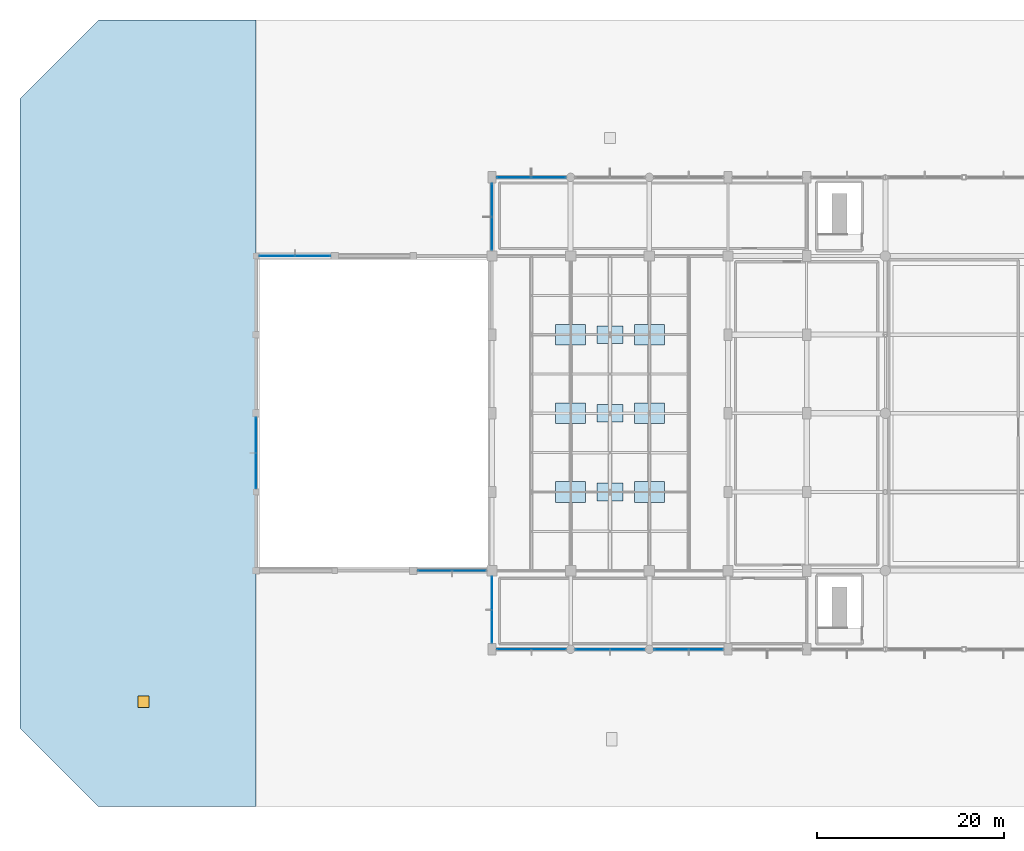
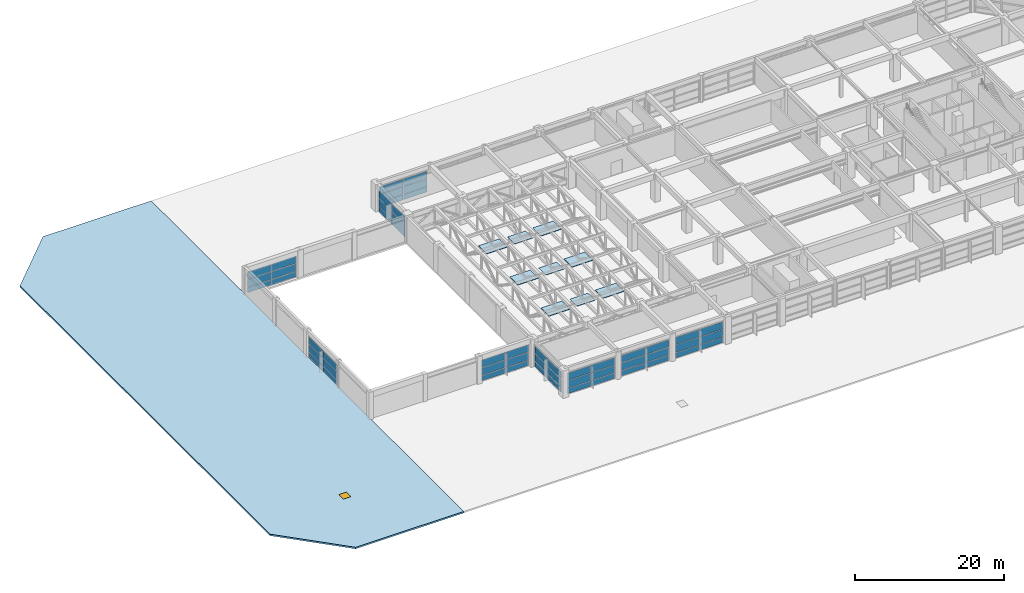
# One storey, part 36 of 47: 63 plates, 1 door, 1 slab, 1 opening, 9 elements without a shape of their own.
"""IFC4 building model written with IfcOpenShell, lengths in metres."""

from ifc_helpers import new_model, si_unit, direction, frame, origin, origin_2d, place, context, subcontext, project, spatial, polyline, rectangle, outline, extrude, material, layer, layer_set, type_object, element, fill, aggregate, save


model = new_model("IFC4")

# Units and contexts
model_context = context("Model", 3, precision=1e-05, world=origin(), true_north=direction((0.0, 1.0)))
body_context = subcontext(model_context, "Body", "Model", "MODEL_VIEW")
ifc_project = project(units=[si_unit("LENGTHUNIT", "METRE"), si_unit("AREAUNIT", "SQUARE_METRE"), si_unit("VOLUMEUNIT", "CUBIC_METRE"), si_unit("PLANEANGLEUNIT", "RADIAN"), si_unit("MASSUNIT", "GRAM", prefix="KILO")], contexts=[model_context])

# Site, building, storey
site_placement = place(None, origin())
site = spatial("IfcSite", under=ifc_project, at=site_placement, CompositionType="ELEMENT")
building_placement = place(site_placement, origin())
building = spatial("IfcBuilding", under=site, at=building_placement, Name="Xuanlan Plaza Opera House", CompositionType="ELEMENT")
storey_placement = place(building_placement, frame((0.0, 0.0, 23.39990234375)))
storey = spatial("IfcBuildingStorey", under=building, at=storey_placement, Name="L05", CompositionType="ELEMENT", Elevation=23.39990234375)

# Curtain wall, plates
ifc_material_1 = material(Name="Anodised Aluminium 6063-T6 and Low-E Glass", Category="aluminium")
curtain_wall_type_1 = type_object("IfcCurtainWallType", Name="ENV-CW-CW-06", PredefinedType="USERDEFINED", material=ifc_material_1)
curtain_wall_1_placement = place(storey_placement, origin())
curtain_wall_1 = element("IfcCurtainWall", 1, at=curtain_wall_1_placement, inside=storey, type_object=curtain_wall_type_1, Name="Acoustic Glazed Wall L05-003", ObjectType="ACOUSTIC GLAZED WALL", PredefinedType="USERDEFINED")
ifc_material_2 = material(Name="Laminated Acoustic Double Glazing", Category="glass")
ifc_layer_1 = layer(ifc_material_2, 0.028076171875)
ifc_layer_set_1 = layer_set([ifc_layer_1], Name="Laminated Acoustic Double Glazing")
plate_type_1 = type_object("IfcPlateType", Name="ENV-CWP-01", PredefinedType="CURTAIN_PANEL", material=ifc_layer_set_1)
plate_1_placement = place(storey_placement, frame((61.094970703125, 42.0, 0.0751953125), z_axis=(0.0, 0.0, 1.0), x_axis=(1.0, 0.0, 0.0)))
plate_1 = element("IfcPlate", 2, at=plate_1_placement, type_object=plate_type_1, Name="CW-06 panel 1.1", PredefinedType="CURTAIN_PANEL", context=body_context, shape_type="SweptSolid", body=[
    extrude(rectangle(XDim=3.570068359375, YDim=0.028076171875, at=origin_2d()), origin(), (0.0, 0.0, 1.0), 0.83740234375),
])
plate_2_placement = place(storey_placement, frame((61.094970703125, 42.0, 0.987548828125), z_axis=(0.0, 0.0, 1.0), x_axis=(1.0, 0.0, 0.0)))
plate_2 = element("IfcPlate", 3, at=plate_2_placement, type_object=plate_type_1, Name="CW-06 panel 1.2", PredefinedType="CURTAIN_PANEL", context=body_context, shape_type="SweptSolid", body=[
    extrude(rectangle(XDim=3.570068359375, YDim=0.028076171875, at=origin_2d()), origin(), (0.0, 0.0, 1.0), 1.22509765625),
])
plate_3_placement = place(storey_placement, frame((61.094970703125, 42.0, 2.28759765625), z_axis=(0.0, 0.0, 1.0), x_axis=(1.0, 0.0, 0.0)))
plate_3 = element("IfcPlate", 4, at=plate_3_placement, type_object=plate_type_1, Name="CW-06 panel 1.3", PredefinedType="CURTAIN_PANEL", context=body_context, shape_type="SweptSolid", body=[
    extrude(rectangle(XDim=3.570068359375, YDim=0.028076171875, at=origin_2d()), origin(), (0.0, 0.0, 1.0), 1.177490234375),
])
plate_4_placement = place(storey_placement, frame((64.7548828125, 42.0, 0.0751953125), z_axis=(0.0, 0.0, 1.0), x_axis=(1.0, 0.0, 0.0)))
plate_4 = element("IfcPlate", 5, at=plate_4_placement, type_object=plate_type_1, Name="CW-06 panel 2.1", PredefinedType="CURTAIN_PANEL", context=body_context, shape_type="SweptSolid", body=[
    extrude(rectangle(XDim=3.570068359375, YDim=0.028076171875, at=origin_2d()), origin(), (0.0, 0.0, 1.0), 0.83740234375),
])
plate_5_placement = place(storey_placement, frame((64.7548828125, 42.0, 0.987548828125), z_axis=(0.0, 0.0, 1.0), x_axis=(1.0, 0.0, 0.0)))
plate_5 = element("IfcPlate", 6, at=plate_5_placement, type_object=plate_type_1, Name="CW-06 panel 2.2", PredefinedType="CURTAIN_PANEL", context=body_context, shape_type="SweptSolid", body=[
    extrude(rectangle(XDim=3.570068359375, YDim=0.028076171875, at=origin_2d()), origin(), (0.0, 0.0, 1.0), 1.22509765625),
])
plate_6_placement = place(storey_placement, frame((64.7548828125, 42.0, 2.28759765625), z_axis=(0.0, 0.0, 1.0), x_axis=(1.0, 0.0, 0.0)))
plate_6 = element("IfcPlate", 7, at=plate_6_placement, type_object=plate_type_1, Name="CW-06 panel 2.3", PredefinedType="CURTAIN_PANEL", context=body_context, shape_type="SweptSolid", body=[
    extrude(rectangle(XDim=3.570068359375, YDim=0.028076171875, at=origin_2d()), origin(), (0.0, 0.0, 1.0), 1.177490234375),
])
aggregate(curtain_wall_1, [plate_1, plate_2, plate_3, plate_4, plate_5, plate_6])

curtain_wall_2_placement = place(storey_placement, origin())
curtain_wall_2 = element("IfcCurtainWall", 8, at=curtain_wall_2_placement, inside=storey, type_object=curtain_wall_type_1, Name="Acoustic Glazed Wall L05-033", ObjectType="ACOUSTIC GLAZED WALL", PredefinedType="USERDEFINED")
plate_7_placement = place(storey_placement, frame((67.199951171875, 81.554931640625, 0.0751953125), z_axis=(0.0, 0.0, 1.0), x_axis=(0.0, -1.0, 0.0)))
plate_7 = element("IfcPlate", 9, at=plate_7_placement, type_object=plate_type_1, Name="CW-06 panel 1.1", PredefinedType="CURTAIN_PANEL", context=body_context, shape_type="SweptSolid", body=[
    extrude(rectangle(XDim=3.469970703125, YDim=0.028076171875, at=origin_2d()), origin(), (0.0, 0.0, 1.0), 0.83740234375),
])
plate_8_placement = place(storey_placement, frame((67.199951171875, 81.554931640625, 0.987548828125), z_axis=(0.0, 0.0, 1.0), x_axis=(0.0, -1.0, 0.0)))
plate_8 = element("IfcPlate", 10, at=plate_8_placement, type_object=plate_type_1, Name="CW-06 panel 1.2", PredefinedType="CURTAIN_PANEL", context=body_context, shape_type="SweptSolid", body=[
    extrude(rectangle(XDim=3.469970703125, YDim=0.028076171875, at=origin_2d()), origin(), (0.0, 0.0, 1.0), 1.22509765625),
])
plate_9_placement = place(storey_placement, frame((67.199951171875, 81.554931640625, 2.28759765625), z_axis=(0.0, 0.0, 1.0), x_axis=(0.0, -1.0, 0.0)))
plate_9 = element("IfcPlate", 11, at=plate_9_placement, type_object=plate_type_1, Name="CW-06 panel 1.3", PredefinedType="CURTAIN_PANEL", context=body_context, shape_type="SweptSolid", body=[
    extrude(rectangle(XDim=3.469970703125, YDim=0.028076171875, at=origin_2d()), origin(), (0.0, 0.0, 1.0), 1.177490234375),
])
plate_10_placement = place(storey_placement, frame((67.199951171875, 77.9951171875, 0.0751953125), z_axis=(0.0, 0.0, 1.0), x_axis=(0.0, -1.0, 0.0)))
plate_10 = element("IfcPlate", 12, at=plate_10_placement, type_object=plate_type_1, Name="CW-06 panel 2.1", PredefinedType="CURTAIN_PANEL", context=body_context, shape_type="SweptSolid", body=[
    extrude(rectangle(XDim=3.469970703125, YDim=0.028076171875, at=origin_2d()), origin(), (0.0, 0.0, 1.0), 0.83740234375),
])
plate_11_placement = place(storey_placement, frame((67.199951171875, 77.9951171875, 0.987548828125), z_axis=(0.0, 0.0, 1.0), x_axis=(0.0, -1.0, 0.0)))
plate_11 = element("IfcPlate", 13, at=plate_11_placement, type_object=plate_type_1, Name="CW-06 panel 2.2", PredefinedType="CURTAIN_PANEL", context=body_context, shape_type="SweptSolid", body=[
    extrude(rectangle(XDim=3.469970703125, YDim=0.028076171875, at=origin_2d()), origin(), (0.0, 0.0, 1.0), 1.22509765625),
])
plate_12_placement = place(storey_placement, frame((67.199951171875, 77.9951171875, 2.28759765625), z_axis=(0.0, 0.0, 1.0), x_axis=(0.0, -1.0, 0.0)))
plate_12 = element("IfcPlate", 14, at=plate_12_placement, type_object=plate_type_1, Name="CW-06 panel 2.3", PredefinedType="CURTAIN_PANEL", context=body_context, shape_type="SweptSolid", body=[
    extrude(rectangle(XDim=3.469970703125, YDim=0.028076171875, at=origin_2d()), origin(), (0.0, 0.0, 1.0), 1.177490234375),
])
aggregate(curtain_wall_2, [plate_7, plate_8, plate_9, plate_10, plate_11, plate_12])

curtain_wall_3_placement = place(storey_placement, origin())
curtain_wall_3 = element("IfcCurtainWall", 15, at=curtain_wall_3_placement, inside=storey, type_object=curtain_wall_type_1, Name="Acoustic Glazed Wall L05-005", ObjectType="ACOUSTIC GLAZED WALL", PredefinedType="USERDEFINED")
ifc_layer_2 = layer(ifc_material_2, 0.031982421875)
ifc_layer_set_2 = layer_set([ifc_layer_2], Name="Laminated Acoustic Double Glazing")
plate_type_2 = type_object("IfcPlateType", Name="ENV-CWP-02", PredefinedType="CURTAIN_PANEL", material=ifc_layer_set_2)
plate_13_placement = place(storey_placement, frame((69.552490234375, 33.60009765625, 0.0703125), z_axis=(0.0, 0.0, 1.0), x_axis=(1.0, 0.0, 0.0)))
plate_13 = element("IfcPlate", 16, at=plate_13_placement, type_object=plate_type_2, Name="CW-06 panel 1.1", PredefinedType="CURTAIN_PANEL", context=body_context, shape_type="SweptSolid", body=[
    extrude(rectangle(XDim=3.625, YDim=0.031982421875, at=origin_2d()), origin(), (0.0, 0.0, 1.0), 0.844970703125),
])
plate_14_placement = place(storey_placement, frame((69.552490234375, 33.60009765625, 0.985107421875), z_axis=(0.0, 0.0, 1.0), x_axis=(1.0, 0.0, 0.0)))
plate_14 = element("IfcPlate", 17, at=plate_14_placement, type_object=plate_type_2, Name="CW-06 panel 1.2", PredefinedType="CURTAIN_PANEL", context=body_context, shape_type="SweptSolid", body=[
    extrude(rectangle(XDim=3.625, YDim=0.031982421875, at=origin_2d()), origin(), (0.0, 0.0, 1.0), 1.22998046875),
])
plate_15_placement = place(storey_placement, frame((69.552490234375, 33.60009765625, 2.28515625), z_axis=(0.0, 0.0, 1.0), x_axis=(1.0, 0.0, 0.0)))
plate_15 = element("IfcPlate", 18, at=plate_15_placement, type_object=plate_type_2, Name="CW-06 panel 1.3", PredefinedType="CURTAIN_PANEL", context=body_context, shape_type="SweptSolid", body=[
    extrude(rectangle(XDim=3.625, YDim=0.031982421875, at=origin_2d()), origin(), (0.0, 0.0, 1.0), 1.18505859375),
])
plate_16_placement = place(storey_placement, frame((73.24755859375, 33.60009765625, 0.0703125), z_axis=(0.0, 0.0, 1.0), x_axis=(1.0, 0.0, 0.0)))
plate_16 = element("IfcPlate", 19, at=plate_16_placement, type_object=plate_type_2, Name="CW-06 panel 2.1", PredefinedType="CURTAIN_PANEL", context=body_context, shape_type="SweptSolid", body=[
    extrude(rectangle(XDim=3.625, YDim=0.031982421875, at=origin_2d()), origin(), (0.0, 0.0, 1.0), 0.844970703125),
])
plate_17_placement = place(storey_placement, frame((73.24755859375, 33.60009765625, 0.985107421875), z_axis=(0.0, 0.0, 1.0), x_axis=(1.0, 0.0, 0.0)))
plate_17 = element("IfcPlate", 20, at=plate_17_placement, type_object=plate_type_2, Name="CW-06 panel 2.2", PredefinedType="CURTAIN_PANEL", context=body_context, shape_type="SweptSolid", body=[
    extrude(rectangle(XDim=3.625, YDim=0.031982421875, at=origin_2d()), origin(), (0.0, 0.0, 1.0), 1.22998046875),
])
plate_18_placement = place(storey_placement, frame((73.24755859375, 33.60009765625, 2.28515625), z_axis=(0.0, 0.0, 1.0), x_axis=(1.0, 0.0, 0.0)))
plate_18 = element("IfcPlate", 21, at=plate_18_placement, type_object=plate_type_2, Name="CW-06 panel 2.3", PredefinedType="CURTAIN_PANEL", context=body_context, shape_type="SweptSolid", body=[
    extrude(rectangle(XDim=3.625, YDim=0.031982421875, at=origin_2d()), origin(), (0.0, 0.0, 1.0), 1.18505859375),
])
aggregate(curtain_wall_3, [plate_13, plate_14, plate_15, plate_16, plate_17, plate_18])

curtain_wall_4_placement = place(storey_placement, origin())
curtain_wall_4 = element("IfcCurtainWall", 22, at=curtain_wall_4_placement, inside=storey, type_object=curtain_wall_type_1, Name="Acoustic Glazed Wall L05-007", ObjectType="ACOUSTIC GLAZED WALL", PredefinedType="USERDEFINED")
ifc_layer_3 = layer(ifc_material_2, 0.035888671875)
ifc_layer_set_3 = layer_set([ifc_layer_3], Name="Laminated Acoustic Double Glazing")
plate_type_3 = type_object("IfcPlateType", Name="ENV-CWP-03", PredefinedType="CURTAIN_PANEL", material=ifc_layer_set_3)
plate_19_placement = place(storey_placement, frame((86.35498046875, 33.60009765625, 0.065185546875), z_axis=(0.0, 0.0, 1.0), x_axis=(1.0, 0.0, 0.0)))
plate_19 = element("IfcPlate", 23, at=plate_19_placement, type_object=plate_type_3, Name="CW-06 panel 1.1", PredefinedType="CURTAIN_PANEL", context=body_context, shape_type="SweptSolid", body=[
    extrude(rectangle(XDim=3.610107421875, YDim=0.035888671875, at=origin_2d()), origin(), (0.0, 0.0, 1.0), 0.8525390625),
])
plate_20_placement = place(storey_placement, frame((86.35498046875, 33.60009765625, 0.982421875), z_axis=(0.0, 0.0, 1.0), x_axis=(1.0, 0.0, 0.0)))
plate_20 = element("IfcPlate", 24, at=plate_20_placement, type_object=plate_type_3, Name="CW-06 panel 1.2", PredefinedType="CURTAIN_PANEL", context=body_context, shape_type="SweptSolid", body=[
    extrude(rectangle(XDim=3.610107421875, YDim=0.035888671875, at=origin_2d()), origin(), (0.0, 0.0, 1.0), 1.235107421875),
])
plate_21_placement = place(storey_placement, frame((86.35498046875, 33.60009765625, 2.28271484375), z_axis=(0.0, 0.0, 1.0), x_axis=(1.0, 0.0, 0.0)))
plate_21 = element("IfcPlate", 25, at=plate_21_placement, type_object=plate_type_3, Name="CW-06 panel 1.3", PredefinedType="CURTAIN_PANEL", context=body_context, shape_type="SweptSolid", body=[
    extrude(rectangle(XDim=3.610107421875, YDim=0.035888671875, at=origin_2d()), origin(), (0.0, 0.0, 1.0), 1.1923828125),
])
plate_22_placement = place(storey_placement, frame((90.044921875, 33.60009765625, 0.065185546875), z_axis=(0.0, 0.0, 1.0), x_axis=(1.0, 0.0, 0.0)))
plate_22 = element("IfcPlate", 26, at=plate_22_placement, type_object=plate_type_3, Name="CW-06 panel 2.1", PredefinedType="CURTAIN_PANEL", context=body_context, shape_type="SweptSolid", body=[
    extrude(rectangle(XDim=3.610107421875, YDim=0.035888671875, at=origin_2d()), origin(), (0.0, 0.0, 1.0), 0.8525390625),
])
plate_23_placement = place(storey_placement, frame((90.044921875, 33.60009765625, 0.982421875), z_axis=(0.0, 0.0, 1.0), x_axis=(1.0, 0.0, 0.0)))
plate_23 = element("IfcPlate", 27, at=plate_23_placement, type_object=plate_type_3, Name="CW-06 panel 2.2", PredefinedType="CURTAIN_PANEL", context=body_context, shape_type="SweptSolid", body=[
    extrude(rectangle(XDim=3.610107421875, YDim=0.035888671875, at=origin_2d()), origin(), (0.0, 0.0, 1.0), 1.235107421875),
])
plate_24_placement = place(storey_placement, frame((90.044921875, 33.60009765625, 2.28271484375), z_axis=(0.0, 0.0, 1.0), x_axis=(1.0, 0.0, 0.0)))
plate_24 = element("IfcPlate", 28, at=plate_24_placement, type_object=plate_type_3, Name="CW-06 panel 2.3", PredefinedType="CURTAIN_PANEL", context=body_context, shape_type="SweptSolid", body=[
    extrude(rectangle(XDim=3.610107421875, YDim=0.035888671875, at=origin_2d()), origin(), (0.0, 0.0, 1.0), 1.1923828125),
])
aggregate(curtain_wall_4, [plate_19, plate_20, plate_21, plate_22, plate_23, plate_24])

curtain_wall_type_2 = type_object("IfcCurtainWallType", Name="ENV-CW-CW-05", PredefinedType="USERDEFINED", material=ifc_material_1)
curtain_wall_5_placement = place(storey_placement, origin())
curtain_wall_5 = element("IfcCurtainWall", 29, at=curtain_wall_5_placement, inside=storey, type_object=curtain_wall_type_2, Name="Acoustic Glazed Wall L05-032", ObjectType="ACOUSTIC GLAZED WALL", PredefinedType="USERDEFINED")
plate_25_placement = place(storey_placement, frame((73.2451171875, 84.0, 0.065185546875), z_axis=(0.0, 0.0, 1.0), x_axis=(-1.0, 0.0, 0.0)))
plate_25 = element("IfcPlate", 30, at=plate_25_placement, type_object=plate_type_3, Name="CW-05 panel 1.1", PredefinedType="CURTAIN_PANEL", context=body_context, shape_type="SweptSolid", body=[
    extrude(rectangle(XDim=3.610107421875, YDim=0.035888671875, at=origin_2d()), origin(), (0.0, 0.0, 1.0), 0.8525390625),
])
plate_26_placement = place(storey_placement, frame((73.2451171875, 84.0, 0.982421875), z_axis=(0.0, 0.0, 1.0), x_axis=(-1.0, 0.0, 0.0)))
plate_26 = element("IfcPlate", 31, at=plate_26_placement, type_object=plate_type_3, Name="CW-05 panel 1.2", PredefinedType="CURTAIN_PANEL", context=body_context, shape_type="SweptSolid", body=[
    extrude(rectangle(XDim=3.610107421875, YDim=0.035888671875, at=origin_2d()), origin(), (0.0, 0.0, 1.0), 1.235107421875),
])
plate_27_placement = place(storey_placement, frame((73.2451171875, 84.0, 2.28271484375), z_axis=(0.0, 0.0, 1.0), x_axis=(-1.0, 0.0, 0.0)))
plate_27 = element("IfcPlate", 32, at=plate_27_placement, type_object=plate_type_3, Name="CW-05 panel 1.3", PredefinedType="CURTAIN_PANEL", context=body_context, shape_type="SweptSolid", body=[
    extrude(rectangle(XDim=3.610107421875, YDim=0.035888671875, at=origin_2d()), origin(), (0.0, 0.0, 1.0), 1.1923828125),
])
plate_28_placement = place(storey_placement, frame((69.554931640625, 84.0, 0.065185546875), z_axis=(0.0, 0.0, 1.0), x_axis=(-1.0, 0.0, 0.0)))
plate_28 = element("IfcPlate", 33, at=plate_28_placement, type_object=plate_type_3, Name="CW-05 panel 2.1", PredefinedType="CURTAIN_PANEL", context=body_context, shape_type="SweptSolid", body=[
    extrude(rectangle(XDim=3.610107421875, YDim=0.035888671875, at=origin_2d()), origin(), (0.0, 0.0, 1.0), 0.8525390625),
])
plate_29_placement = place(storey_placement, frame((69.554931640625, 84.0, 0.982421875), z_axis=(0.0, 0.0, 1.0), x_axis=(-1.0, 0.0, 0.0)))
plate_29 = element("IfcPlate", 34, at=plate_29_placement, type_object=plate_type_3, Name="CW-05 panel 2.2", PredefinedType="CURTAIN_PANEL", context=body_context, shape_type="SweptSolid", body=[
    extrude(rectangle(XDim=3.610107421875, YDim=0.035888671875, at=origin_2d()), origin(), (0.0, 0.0, 1.0), 1.235107421875),
])
plate_30_placement = place(storey_placement, frame((69.554931640625, 84.0, 2.28271484375), z_axis=(0.0, 0.0, 1.0), x_axis=(-1.0, 0.0, 0.0)))
plate_30 = element("IfcPlate", 35, at=plate_30_placement, type_object=plate_type_3, Name="CW-05 panel 2.3", PredefinedType="CURTAIN_PANEL", context=body_context, shape_type="SweptSolid", body=[
    extrude(rectangle(XDim=3.610107421875, YDim=0.035888671875, at=origin_2d()), origin(), (0.0, 0.0, 1.0), 1.1923828125),
])
aggregate(curtain_wall_5, [plate_25, plate_26, plate_27, plate_28, plate_29, plate_30])

curtain_wall_6_placement = place(storey_placement, origin())
curtain_wall_6 = element("IfcCurtainWall", 36, at=curtain_wall_6_placement, inside=storey, type_object=curtain_wall_type_2, Name="Acoustic Glazed Wall L05-004", ObjectType="ACOUSTIC GLAZED WALL", PredefinedType="USERDEFINED")
ifc_layer_4 = layer(ifc_material_2, 0.0400390625)
ifc_layer_set_4 = layer_set([ifc_layer_4], Name="Laminated Acoustic Double Glazing")
plate_type_4 = type_object("IfcPlateType", Name="ENV-CWP-04", PredefinedType="CURTAIN_PANEL", material=ifc_layer_set_4)
plate_31_placement = place(storey_placement, frame((67.199951171875, 39.611328125, 0.090087890625), z_axis=(0.0, 0.0, 1.0), x_axis=(0.0, -1.0, 0.0)))
plate_31 = element("IfcPlate", 37, at=plate_31_placement, type_object=plate_type_4, Name="CW-05 panel 1.1", PredefinedType="CURTAIN_PANEL", context=body_context, shape_type="SweptSolid", body=[
    extrude(rectangle(XDim=3.507568359375, YDim=0.0400390625, at=origin_2d()), origin(), (0.0, 0.0, 1.0), 0.81494140625),
])
plate_32_placement = place(storey_placement, frame((67.199951171875, 39.611328125, 0.9951171875), z_axis=(0.0, 0.0, 1.0), x_axis=(0.0, -1.0, 0.0)))
plate_32 = element("IfcPlate", 38, at=plate_32_placement, type_object=plate_type_4, Name="CW-05 panel 1.2", PredefinedType="CURTAIN_PANEL", context=body_context, shape_type="SweptSolid", body=[
    extrude(rectangle(XDim=3.507568359375, YDim=0.0400390625, at=origin_2d()), origin(), (0.0, 0.0, 1.0), 1.2099609375),
])
plate_33_placement = place(storey_placement, frame((67.199951171875, 39.611328125, 2.294921875), z_axis=(0.0, 0.0, 1.0), x_axis=(0.0, -1.0, 0.0)))
plate_33 = element("IfcPlate", 39, at=plate_33_placement, type_object=plate_type_4, Name="CW-05 panel 1.3", PredefinedType="CURTAIN_PANEL", context=body_context, shape_type="SweptSolid", body=[
    extrude(rectangle(XDim=3.507568359375, YDim=0.0400390625, at=origin_2d()), origin(), (0.0, 0.0, 1.0), 1.155029296875),
])
plate_34_placement = place(storey_placement, frame((67.199951171875, 36.038818359375, 0.090087890625), z_axis=(0.0, 0.0, 1.0), x_axis=(0.0, -1.0, 0.0)))
plate_34 = element("IfcPlate", 40, at=plate_34_placement, type_object=plate_type_4, Name="CW-05 panel 2.1", PredefinedType="CURTAIN_PANEL", context=body_context, shape_type="SweptSolid", body=[
    extrude(rectangle(XDim=3.507568359375, YDim=0.0400390625, at=origin_2d()), origin(), (0.0, 0.0, 1.0), 0.81494140625),
])
plate_35_placement = place(storey_placement, frame((67.199951171875, 36.038818359375, 0.9951171875), z_axis=(0.0, 0.0, 1.0), x_axis=(0.0, -1.0, 0.0)))
plate_35 = element("IfcPlate", 41, at=plate_35_placement, type_object=plate_type_4, Name="CW-05 panel 2.2", PredefinedType="CURTAIN_PANEL", context=body_context, shape_type="SweptSolid", body=[
    extrude(rectangle(XDim=3.507568359375, YDim=0.0400390625, at=origin_2d()), origin(), (0.0, 0.0, 1.0), 1.2099609375),
])
plate_36_placement = place(storey_placement, frame((67.199951171875, 36.038818359375, 2.294921875), z_axis=(0.0, 0.0, 1.0), x_axis=(0.0, -1.0, 0.0)))
plate_36 = element("IfcPlate", 42, at=plate_36_placement, type_object=plate_type_4, Name="CW-05 panel 2.3", PredefinedType="CURTAIN_PANEL", context=body_context, shape_type="SweptSolid", body=[
    extrude(rectangle(XDim=3.507568359375, YDim=0.0400390625, at=origin_2d()), origin(), (0.0, 0.0, 1.0), 1.155029296875),
])
aggregate(curtain_wall_6, [plate_31, plate_32, plate_33, plate_34, plate_35, plate_36])

curtain_wall_type_3 = type_object("IfcCurtainWallType", Name="ENV-CW-CW-02", PredefinedType="USERDEFINED", material=ifc_material_1)
curtain_wall_7_placement = place(storey_placement, origin())
curtain_wall_7 = element("IfcCurtainWall", 43, at=curtain_wall_7_placement, inside=storey, type_object=curtain_wall_type_3, Name="Unitised Curtain Wall L05-039", ObjectType="UNITISED CURTAIN WALL", PredefinedType="USERDEFINED")
plate_37_placement = place(storey_placement, frame((42.0, 56.44873046875, 0.090087890625), z_axis=(0.0, 0.0, 1.0), x_axis=(0.0, -1.0, 0.0)))
plate_37 = element("IfcPlate", 44, at=plate_37_placement, type_object=plate_type_4, Name="CW-02 panel 1.1", PredefinedType="CURTAIN_PANEL", context=body_context, shape_type="SweptSolid", body=[
    extrude(rectangle(XDim=3.732421875, YDim=0.0400390625, at=origin_2d()), origin(), (0.0, 0.0, 1.0), 0.81494140625),
])
plate_38_placement = place(storey_placement, frame((42.0, 56.44873046875, 0.9951171875), z_axis=(0.0, 0.0, 1.0), x_axis=(0.0, -1.0, 0.0)))
plate_38 = element("IfcPlate", 45, at=plate_38_placement, type_object=plate_type_4, Name="CW-02 panel 1.2", PredefinedType="CURTAIN_PANEL", context=body_context, shape_type="SweptSolid", body=[
    extrude(rectangle(XDim=3.732421875, YDim=0.0400390625, at=origin_2d()), origin(), (0.0, 0.0, 1.0), 1.2099609375),
])
plate_39_placement = place(storey_placement, frame((42.0, 56.44873046875, 2.294921875), z_axis=(0.0, 0.0, 1.0), x_axis=(0.0, -1.0, 0.0)))
plate_39 = element("IfcPlate", 46, at=plate_39_placement, type_object=plate_type_4, Name="CW-02 panel 1.3", PredefinedType="CURTAIN_PANEL", context=body_context, shape_type="SweptSolid", body=[
    extrude(rectangle(XDim=3.732421875, YDim=0.0400390625, at=origin_2d()), origin(), (0.0, 0.0, 1.0), 1.155029296875),
])
plate_40_placement = place(storey_placement, frame((42.0, 52.6513671875, 0.090087890625), z_axis=(0.0, 0.0, 1.0), x_axis=(0.0, -1.0, 0.0)))
plate_40 = element("IfcPlate", 47, at=plate_40_placement, type_object=plate_type_4, Name="CW-02 panel 2.1", PredefinedType="CURTAIN_PANEL", context=body_context, shape_type="SweptSolid", body=[
    extrude(rectangle(XDim=3.732421875, YDim=0.0400390625, at=origin_2d()), origin(), (0.0, 0.0, 1.0), 0.81494140625),
])
plate_41_placement = place(storey_placement, frame((42.0, 52.6513671875, 0.9951171875), z_axis=(0.0, 0.0, 1.0), x_axis=(0.0, -1.0, 0.0)))
plate_41 = element("IfcPlate", 48, at=plate_41_placement, type_object=plate_type_4, Name="CW-02 panel 2.2", PredefinedType="CURTAIN_PANEL", context=body_context, shape_type="SweptSolid", body=[
    extrude(rectangle(XDim=3.732421875, YDim=0.0400390625, at=origin_2d()), origin(), (0.0, 0.0, 1.0), 1.2099609375),
])
plate_42_placement = place(storey_placement, frame((42.0, 52.6513671875, 2.294921875), z_axis=(0.0, 0.0, 1.0), x_axis=(0.0, -1.0, 0.0)))
plate_42 = element("IfcPlate", 49, at=plate_42_placement, type_object=plate_type_4, Name="CW-02 panel 2.3", PredefinedType="CURTAIN_PANEL", context=body_context, shape_type="SweptSolid", body=[
    extrude(rectangle(XDim=3.732421875, YDim=0.0400390625, at=origin_2d()), origin(), (0.0, 0.0, 1.0), 1.155029296875),
])
aggregate(curtain_wall_7, [plate_37, plate_38, plate_39, plate_40, plate_41, plate_42])

curtain_wall_8_placement = place(storey_placement, origin())
curtain_wall_8 = element("IfcCurtainWall", 50, at=curtain_wall_8_placement, inside=storey, type_object=curtain_wall_type_2, Name="Acoustic Glazed Wall L05-006", ObjectType="ACOUSTIC GLAZED WALL", PredefinedType="USERDEFINED")
ifc_layer_5 = layer(ifc_material_2, 0.0439453125)
ifc_layer_set_5 = layer_set([ifc_layer_5], Name="Laminated Acoustic Double Glazing")
plate_type_5 = type_object("IfcPlateType", Name="ENV-CWP-05", PredefinedType="CURTAIN_PANEL", material=ifc_layer_set_5)
plate_43_placement = place(storey_placement, frame((77.953857421875, 33.60009765625, 0.080078125), z_axis=(0.0, 0.0, 1.0), x_axis=(1.0, 0.0, 0.0)))
plate_43 = element("IfcPlate", 51, at=plate_43_placement, type_object=plate_type_5, Name="CW-05 panel 1.1", PredefinedType="CURTAIN_PANEL", context=body_context, shape_type="SweptSolid", body=[
    extrude(rectangle(XDim=3.617431640625, YDim=0.0439453125, at=origin_2d()), origin(), (0.0, 0.0, 1.0), 0.830078125),
])
plate_44_placement = place(storey_placement, frame((77.953857421875, 33.60009765625, 0.990234375), z_axis=(0.0, 0.0, 1.0), x_axis=(1.0, 0.0, 0.0)))
plate_44 = element("IfcPlate", 52, at=plate_44_placement, type_object=plate_type_5, Name="CW-05 panel 1.2", PredefinedType="CURTAIN_PANEL", context=body_context, shape_type="SweptSolid", body=[
    extrude(rectangle(XDim=3.617431640625, YDim=0.0439453125, at=origin_2d()), origin(), (0.0, 0.0, 1.0), 1.219970703125),
])
plate_45_placement = place(storey_placement, frame((77.953857421875, 33.60009765625, 2.2900390625), z_axis=(0.0, 0.0, 1.0), x_axis=(1.0, 0.0, 0.0)))
plate_45 = element("IfcPlate", 53, at=plate_45_placement, type_object=plate_type_5, Name="CW-05 panel 1.3", PredefinedType="CURTAIN_PANEL", context=body_context, shape_type="SweptSolid", body=[
    extrude(rectangle(XDim=3.617431640625, YDim=0.0439453125, at=origin_2d()), origin(), (0.0, 0.0, 1.0), 1.169921875),
])
plate_46_placement = place(storey_placement, frame((81.646240234375, 33.60009765625, 0.080078125), z_axis=(0.0, 0.0, 1.0), x_axis=(1.0, 0.0, 0.0)))
plate_46 = element("IfcPlate", 54, at=plate_46_placement, type_object=plate_type_5, Name="CW-05 panel 2.1", PredefinedType="CURTAIN_PANEL", context=body_context, shape_type="SweptSolid", body=[
    extrude(rectangle(XDim=3.617431640625, YDim=0.0439453125, at=origin_2d()), origin(), (0.0, 0.0, 1.0), 0.830078125),
])
plate_47_placement = place(storey_placement, frame((81.646240234375, 33.60009765625, 0.990234375), z_axis=(0.0, 0.0, 1.0), x_axis=(1.0, 0.0, 0.0)))
plate_47 = element("IfcPlate", 55, at=plate_47_placement, type_object=plate_type_5, Name="CW-05 panel 2.2", PredefinedType="CURTAIN_PANEL", context=body_context, shape_type="SweptSolid", body=[
    extrude(rectangle(XDim=3.617431640625, YDim=0.0439453125, at=origin_2d()), origin(), (0.0, 0.0, 1.0), 1.219970703125),
])
plate_48_placement = place(storey_placement, frame((81.646240234375, 33.60009765625, 2.2900390625), z_axis=(0.0, 0.0, 1.0), x_axis=(1.0, 0.0, 0.0)))
plate_48 = element("IfcPlate", 56, at=plate_48_placement, type_object=plate_type_5, Name="CW-05 panel 2.3", PredefinedType="CURTAIN_PANEL", context=body_context, shape_type="SweptSolid", body=[
    extrude(rectangle(XDim=3.617431640625, YDim=0.0439453125, at=origin_2d()), origin(), (0.0, 0.0, 1.0), 1.169921875),
])
aggregate(curtain_wall_8, [plate_43, plate_44, plate_45, plate_46, plate_47, plate_48])

curtain_wall_type_4 = type_object("IfcCurtainWallType", Name="ENV-CW-CW-03", PredefinedType="USERDEFINED", material=ifc_material_1)
curtain_wall_9_placement = place(storey_placement, origin())
curtain_wall_9 = element("IfcCurtainWall", 57, at=curtain_wall_9_placement, inside=storey, type_object=curtain_wall_type_4, Name="Unitised Curtain Wall L05-036", ObjectType="UNITISED CURTAIN WALL", PredefinedType="USERDEFINED")
plate_49_placement = place(storey_placement, frame((48.046142578125, 75.60009765625, 0.080078125), z_axis=(0.0, 0.0, 1.0), x_axis=(-1.0, 0.0, 0.0)))
plate_49 = element("IfcPlate", 58, at=plate_49_placement, type_object=plate_type_5, Name="CW-03 panel 1.1", PredefinedType="CURTAIN_PANEL", context=body_context, shape_type="SweptSolid", body=[
    extrude(rectangle(XDim=3.717529296875, YDim=0.0439453125, at=origin_2d()), origin(), (0.0, 0.0, 1.0), 0.830078125),
])
plate_50_placement = place(storey_placement, frame((48.046142578125, 75.60009765625, 0.990234375), z_axis=(0.0, 0.0, 1.0), x_axis=(-1.0, 0.0, 0.0)))
plate_50 = element("IfcPlate", 59, at=plate_50_placement, type_object=plate_type_5, Name="CW-03 panel 1.2", PredefinedType="CURTAIN_PANEL", context=body_context, shape_type="SweptSolid", body=[
    extrude(rectangle(XDim=3.717529296875, YDim=0.0439453125, at=origin_2d()), origin(), (0.0, 0.0, 1.0), 1.219970703125),
])
plate_51_placement = place(storey_placement, frame((48.046142578125, 75.60009765625, 2.2900390625), z_axis=(0.0, 0.0, 1.0), x_axis=(-1.0, 0.0, 0.0)))
plate_51 = element("IfcPlate", 60, at=plate_51_placement, type_object=plate_type_5, Name="CW-03 panel 1.3", PredefinedType="CURTAIN_PANEL", context=body_context, shape_type="SweptSolid", body=[
    extrude(rectangle(XDim=3.717529296875, YDim=0.0439453125, at=origin_2d()), origin(), (0.0, 0.0, 1.0), 1.169921875),
])
plate_52_placement = place(storey_placement, frame((44.253662109375, 75.60009765625, 0.080078125), z_axis=(0.0, 0.0, 1.0), x_axis=(-1.0, 0.0, 0.0)))
plate_52 = element("IfcPlate", 61, at=plate_52_placement, type_object=plate_type_5, Name="CW-03 panel 2.1", PredefinedType="CURTAIN_PANEL", context=body_context, shape_type="SweptSolid", body=[
    extrude(rectangle(XDim=3.717529296875, YDim=0.0439453125, at=origin_2d()), origin(), (0.0, 0.0, 1.0), 0.830078125),
])
plate_53_placement = place(storey_placement, frame((44.253662109375, 75.60009765625, 0.990234375), z_axis=(0.0, 0.0, 1.0), x_axis=(-1.0, 0.0, 0.0)))
plate_53 = element("IfcPlate", 62, at=plate_53_placement, type_object=plate_type_5, Name="CW-03 panel 2.2", PredefinedType="CURTAIN_PANEL", context=body_context, shape_type="SweptSolid", body=[
    extrude(rectangle(XDim=3.717529296875, YDim=0.0439453125, at=origin_2d()), origin(), (0.0, 0.0, 1.0), 1.219970703125),
])
plate_54_placement = place(storey_placement, frame((44.253662109375, 75.60009765625, 2.2900390625), z_axis=(0.0, 0.0, 1.0), x_axis=(-1.0, 0.0, 0.0)))
plate_54 = element("IfcPlate", 63, at=plate_54_placement, type_object=plate_type_5, Name="CW-03 panel 2.3", PredefinedType="CURTAIN_PANEL", context=body_context, shape_type="SweptSolid", body=[
    extrude(rectangle(XDim=3.717529296875, YDim=0.0439453125, at=origin_2d()), origin(), (0.0, 0.0, 1.0), 1.169921875),
])
aggregate(curtain_wall_9, [plate_49, plate_50, plate_51, plate_52, plate_53, plate_54])

# Plates
ifc_material_3 = material(Name="Walnut Hardwood Timber", Category="wood")
ifc_layer_6 = layer(ifc_material_3, 0.050048828125)
ifc_layer_set_6 = layer_set([ifc_layer_6], Name="Walnut Hardwood Timber")
plate_type_6 = type_object("IfcPlateType", Name="INT-PLT-AC01", PredefinedType="SHEET", material=ifc_layer_set_6)
for number, where, z_axis, x_axis, name in (
    (64, (75.60009765625, 50.39990234375, 1.0849609375), (0.0, 0.0, 1.0), (1.0, 0.0, 0.0), "Auditorium Acoustic Reflector Canopy 1-50"),
    (65, (75.60009765625, 58.800048828125, 1.0849609375), (0.0, 0.0, 1.0), (1.0, 0.0, 0.0), "Auditorium Acoustic Reflector Canopy 1-58"),
    (66, (75.60009765625, 67.199951171875, 1.0849609375), (0.0, 0.0, 1.0), (1.0, 0.0, 0.0), "Auditorium Acoustic Reflector Canopy 1-67"),
    (67, (84.0, 50.39990234375, 1.0849609375), (0.0, 0.0, 1.0), (1.0, 0.0, 0.0), "Auditorium Acoustic Reflector Canopy 3-50"),
    (68, (84.0, 58.800048828125, 1.0849609375), (0.0, 0.0, 1.0), (1.0, 0.0, 0.0), "Auditorium Acoustic Reflector Canopy 3-58"),
    (69, (84.0, 67.199951171875, 1.0849609375), (0.0, 0.0, 1.0), (1.0, 0.0, 0.0), "Auditorium Acoustic Reflector Canopy 3-67"),
):
    element("IfcPlate", number, at=place(storey_placement, frame(where, z_axis=z_axis, x_axis=x_axis)), inside=storey, type_object=plate_type_6, Name=name, PredefinedType="SHEET", context=body_context, shape_type="SweptSolid", body=[
        extrude(rectangle(XDim=3.199951171875, YDim=2.199951171875, at=origin_2d()), origin(), (0.0, 0.0, 1.0), 0.050048828125),
    ])
ifc_layer_7 = layer(ifc_material_3, 0.0419921875)
ifc_layer_set_7 = layer_set([ifc_layer_7], Name="Walnut Hardwood Timber")
plate_type_7 = type_object("IfcPlateType", Name="INT-PLT-AC02", PredefinedType="SHEET", material=ifc_layer_set_7)
for number, where, z_axis, x_axis, name in (
    (70, (79.800048828125, 50.39990234375, 1.093017578125), (0.0, 0.0, 1.0), (1.0, 0.0, 0.0), "Auditorium Acoustic Reflector Canopy 2-50"),
    (71, (79.800048828125, 58.800048828125, 1.093017578125), (0.0, 0.0, 1.0), (1.0, 0.0, 0.0), "Auditorium Acoustic Reflector Canopy 2-58"),
    (72, (79.800048828125, 67.199951171875, 1.093017578125), (0.0, 0.0, 1.0), (1.0, 0.0, 0.0), "Auditorium Acoustic Reflector Canopy 2-67"),
):
    element("IfcPlate", number, at=place(storey_placement, frame(where, z_axis=z_axis, x_axis=x_axis)), inside=storey, type_object=plate_type_7, Name=name, PredefinedType="SHEET", context=body_context, shape_type="SweptSolid", body=[
        extrude(rectangle(XDim=2.800048828125, YDim=1.89990234375, at=origin_2d()), origin(), (0.0, 0.0, 1.0), 0.0419921875),
    ])

# Slab, opening, door
ifc_material_4 = material(Name="Concrete C40", Category="concrete")
ifc_layer_8 = layer(ifc_material_4, 0.25)
ifc_layer_set_8 = layer_set([ifc_layer_8], Name="Concrete C40")
slab_type = type_object("IfcSlabType", Name="STR-SLB-RF-01", PredefinedType="ROOF", material=ifc_layer_set_8)
slab_placement = place(storey_placement, frame((0.0, 0.0, -0.25)))
slab = element("IfcSlab", 73, at=slab_placement, inside=storey, type_object=slab_type, Name="West Upper Podium Maintenance Roof Slab", PredefinedType="ROOF", context=body_context, shape_type="SweptSolid", body=[
    extrude(outline(polyline([(25.199951171875, 16.800048828125), (42.0, 16.800048828125), (42.0, 100.800048828125), (25.199951171875, 100.800048828125), (16.800048828125, 92.39990234375), (16.800048828125, 25.199951171875), (25.199951171875, 16.800048828125)]), holes=[polyline([(29.39990234375, 27.39990234375), (30.60009765625, 27.39990234375), (30.60009765625, 28.60009765625), (29.39990234375, 28.60009765625), (29.39990234375, 27.39990234375)])]), origin(), (0.0, 0.0, 1.0), 0.25),
])
opening_placement = place(slab_placement, frame((30.0, 28.0, 0.0)))
opening = element("IfcOpeningElement", 74, at=opening_placement, cuts=slab, Name="Opening HT-02", PredefinedType="OPENING", context=body_context, shape_type="SweptSolid", body=[
    extrude(rectangle(XDim=1.199951171875, YDim=1.199951171875, at=origin_2d()), origin(), (0.0, 0.0, 1.0), 0.25),
])
ifc_material_5 = material(Name="Galvanised Steel Q235B", Category="steel")
door_type = type_object("IfcDoorType", Name="ENV-DR-HT-02", OperationType="NOTDEFINED", PredefinedType="TRAPDOOR", material=ifc_material_5)
door_placement = place(opening_placement, frame((0.0, 0.0, 0.199951171875)))
door = element("IfcDoor", 75, at=door_placement, inside=storey, type_object=door_type, Name="Roof Maintenance Access Hatch HT-UPOD-W01", OperationType="SINGLE_SWING_RIGHT", OverallHeight=1.199951171875, OverallWidth=1.199951171875, PredefinedType="TRAPDOOR", context=body_context, shape_type="SweptSolid", body=[
    extrude(rectangle(XDim=1.199951171875, YDim=1.199951171875, at=origin_2d()), origin(), (0.0, 0.0, 1.0), 0.050048828125),
])
fill(opening, door)

save(model, "model.ifc")
